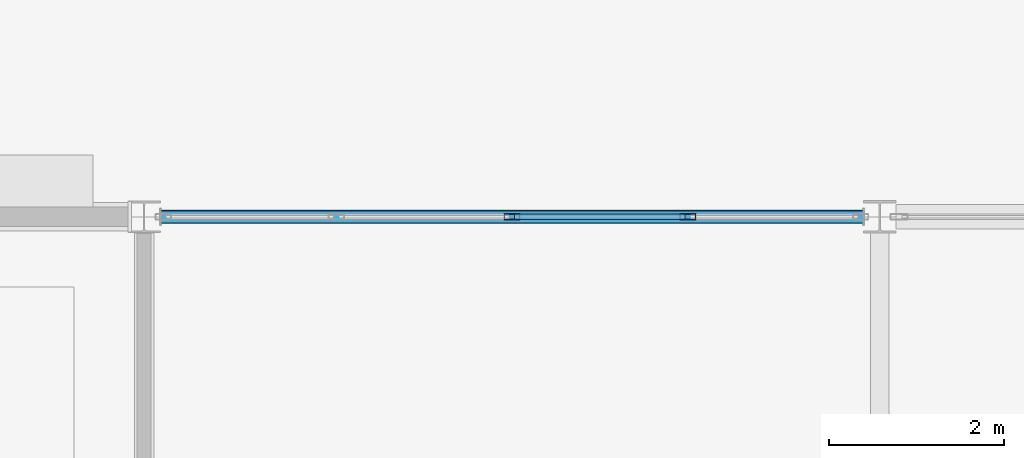
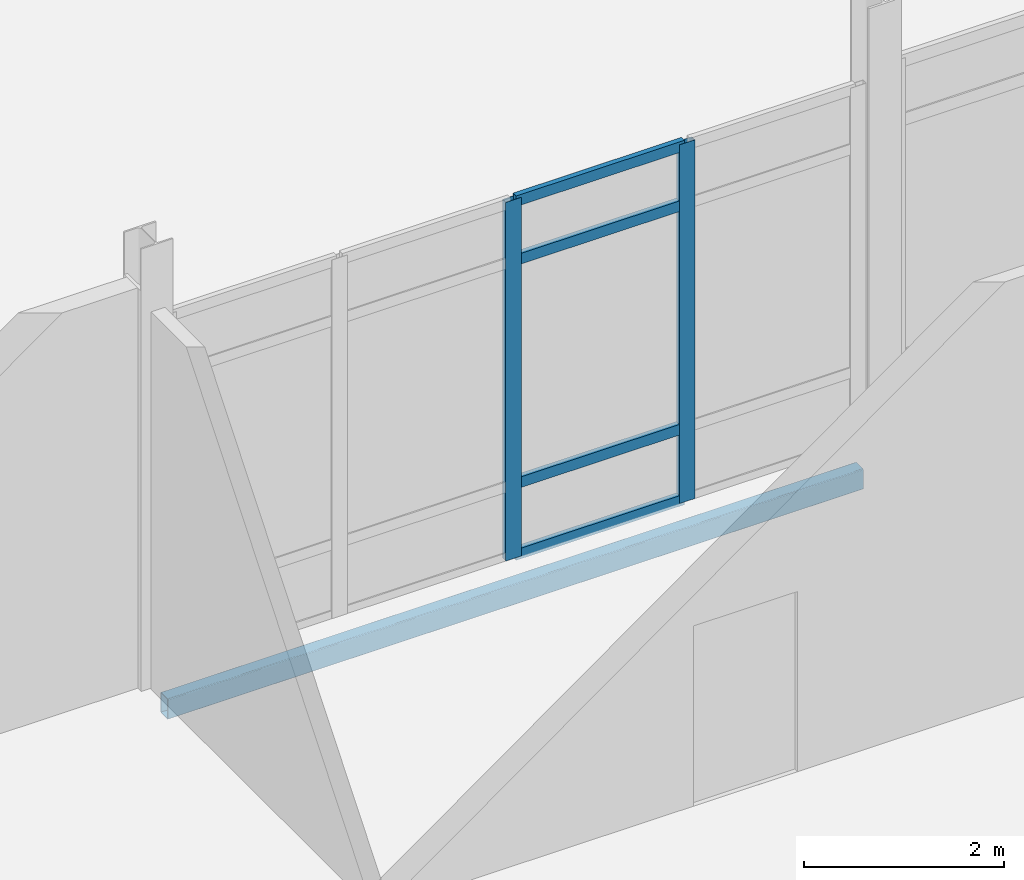
# One storey, part 99 of 229: 6 members, 1 beam, 1 element without a shape of its own.
"""IFC4 building model written with IfcOpenShell, lengths in metres."""

from ifc_helpers import new_model, si_unit, direction, frame, origin, origin_2d, place, context, subcontext, project, spatial, hollow_rectangle, extrude, material, layer, layer_set, material_profile, profile_set, type_object, element, aggregate, save


model = new_model("IFC4")

# Units and contexts
model_context = context("Model", 3, precision=1e-05, world=origin(), true_north=direction((0.0, 1.0)))
body_context = subcontext(model_context, "Body", "Model", "MODEL_VIEW")
ifc_project = project(units=[si_unit("LENGTHUNIT", "METRE"), si_unit("AREAUNIT", "SQUARE_METRE"), si_unit("VOLUMEUNIT", "CUBIC_METRE"), si_unit("PLANEANGLEUNIT", "RADIAN"), si_unit("MASSUNIT", "GRAM", prefix="KILO")], contexts=[model_context])

# Site, building, storey
site_placement = place(None, origin())
site = spatial("IfcSite", under=ifc_project, at=site_placement, CompositionType="ELEMENT")
building_placement = place(site_placement, origin())
building = spatial("IfcBuilding", under=site, at=building_placement, Name="Calvrana Isthmian Art Gallery", CompositionType="ELEMENT")
storey_placement = place(building_placement, origin())
storey = spatial("IfcBuildingStorey", under=building, at=storey_placement, Name="L00", CompositionType="ELEMENT", Elevation=0.0)

# Beam
ifc_material_1 = material(Name="Steel ASTM A500 Gr C", Category="steel")
ifc_material_profile_1 = material_profile(ifc_material_1, hollow_rectangle(XDim=0.15234375, YDim=0.25390625, WallThickness=0.009521484375, OuterFilletRadius=0.01904296875, at=origin_2d()), Name="HSS254X152X9.5")
ifc_profile_set_1 = profile_set([ifc_material_profile_1], Name="Steel ASTM A500 Gr C")
beam_type = type_object("IfcBeamType", Name="BM-SP-HSS254", PredefinedType="SPANDREL", material=ifc_profile_set_1)
beam_placement = place(storey_placement, frame((72.1865234375, 62.0, -0.412109375), z_axis=(1.0, 0.0, 0.0), x_axis=(0.0, 1.0, 0.0)))
element("IfcBeam", 1, at=beam_placement, inside=storey, type_object=beam_type, Name="Girder X L00 10-11/I", PredefinedType="SPANDREL", context=body_context, shape_type="SweptSolid", body=[
    extrude(hollow_rectangle(XDim=0.15234375, YDim=0.25390625, WallThickness=0.009521484375, OuterFilletRadius=0.01904296875, at=origin_2d()), origin(), (0.0, 0.0, 1.0), 8.02685546875),
])

# Curtain wall, members
ifc_material_2 = material(Name="Anodized bronze aluminium 6063-T6", Category="aluminium")
ifc_layer = layer(ifc_material_2, 0.179931640625, Name="Anodized bronze aluminium 6063-T6")
ifc_layer_set = layer_set([ifc_layer], Name="Anodized bronze aluminium 6063-T6")
curtain_wall_type = type_object("IfcCurtainWallType", Name="CW-UNIT-080X44", PredefinedType="USERDEFINED", material=ifc_layer_set)
curtain_wall_placement = place(storey_placement, origin())
curtain_wall = element("IfcCurtainWall", 2, at=curtain_wall_placement, inside=storey, type_object=curtain_wall_type, Name="Curtain wall CW-026", ObjectType="UNITISED CURTAIN WALL", PredefinedType="USERDEFINED")
ifc_material_profile_2 = material_profile(ifc_material_2, hollow_rectangle(XDim=0.06494140625, YDim=0.179931640625, WallThickness=0.00439453125, at=origin_2d()), Name="CWM65X180")
ifc_profile_set_2 = profile_set([ifc_material_profile_2], Name="Anodized bronze aluminium 6063-T6")
member_type_1 = type_object("IfcMemberType", Name="CWM-CWM65X180", PredefinedType="MULLION", material=ifc_profile_set_2)
member_1_placement = place(storey_placement, frame((76.19873046875, 62.0, 0.0), z_axis=(0.0, 0.0, 1.0), x_axis=(0.0, 1.0, 0.0)))
member_1 = element("IfcMember", 3, at=member_1_placement, type_object=member_type_1, Name="CW-026 mullion 3", PredefinedType="MULLION", context=body_context, shape_type="SweptSolid", body=[
    extrude(hollow_rectangle(XDim=0.06494140625, YDim=0.179931640625, WallThickness=0.00439453125, at=origin_2d()), origin(), (0.0, 0.0, 1.0), 4.3779296875),
])
member_2_placement = place(storey_placement, frame((78.2060546875, 62.0, 0.0), z_axis=(0.0, 0.0, 1.0), x_axis=(0.0, 1.0, 0.0)))
member_2 = element("IfcMember", 4, at=member_2_placement, type_object=member_type_1, Name="CW-026 mullion 4", PredefinedType="MULLION", context=body_context, shape_type="SweptSolid", body=[
    extrude(hollow_rectangle(XDim=0.06494140625, YDim=0.179931640625, WallThickness=0.00439453125, at=origin_2d()), origin(), (0.0, 0.0, 1.0), 4.3779296875),
])
ifc_material_profile_3 = material_profile(ifc_material_2, hollow_rectangle(XDim=0.06005859375, YDim=0.1298828125, WallThickness=0.00390625, at=origin_2d()), Name="CWT60X130")
ifc_profile_set_3 = profile_set([ifc_material_profile_3], Name="Anodized bronze aluminium 6063-T6")
member_type_2 = type_object("IfcMemberType", Name="CWT-CWT60X130", PredefinedType="USERDEFINED", material=ifc_profile_set_3)
member_3_placement = place(storey_placement, frame((76.231201171875, 62.0, 0.030029296875), z_axis=(1.0, 0.0, 0.0), x_axis=(0.0, 1.0, 0.0)))
member_3 = element("IfcMember", 5, at=member_3_placement, type_object=member_type_2, Name="CW-026 transom 3.1", ObjectType="TRANSOM", PredefinedType="USERDEFINED", context=body_context, shape_type="SweptSolid", body=[
    extrude(hollow_rectangle(XDim=0.06005859375, YDim=0.1298828125, WallThickness=0.00390625, at=origin_2d()), origin(), (0.0, 0.0, 1.0), 1.9423828125),
])
member_4_placement = place(storey_placement, frame((76.231201171875, 62.0, 0.89990234375), z_axis=(1.0, 0.0, 0.0), x_axis=(0.0, 1.0, 0.0)))
member_4 = element("IfcMember", 6, at=member_4_placement, type_object=member_type_2, Name="CW-026 transom 3.2", ObjectType="TRANSOM", PredefinedType="USERDEFINED", context=body_context, shape_type="SweptSolid", body=[
    extrude(hollow_rectangle(XDim=0.06005859375, YDim=0.1298828125, WallThickness=0.00390625, at=origin_2d()), origin(), (0.0, 0.0, 1.0), 1.9423828125),
])
member_5_placement = place(storey_placement, frame((76.231201171875, 62.0, 3.6279296875), z_axis=(1.0, 0.0, 0.0), x_axis=(0.0, 1.0, 0.0)))
member_5 = element("IfcMember", 7, at=member_5_placement, type_object=member_type_2, Name="CW-026 transom 3.3", ObjectType="TRANSOM", PredefinedType="USERDEFINED", context=body_context, shape_type="SweptSolid", body=[
    extrude(hollow_rectangle(XDim=0.06005859375, YDim=0.1298828125, WallThickness=0.00390625, at=origin_2d()), origin(), (0.0, 0.0, 1.0), 1.9423828125),
])
member_6_placement = place(storey_placement, frame((76.231201171875, 62.0, 4.347900390625), z_axis=(1.0, 0.0, 0.0), x_axis=(0.0, 1.0, 0.0)))
member_6 = element("IfcMember", 8, at=member_6_placement, type_object=member_type_2, Name="CW-026 transom 3.4", ObjectType="TRANSOM", PredefinedType="USERDEFINED", context=body_context, shape_type="SweptSolid", body=[
    extrude(hollow_rectangle(XDim=0.06005859375, YDim=0.1298828125, WallThickness=0.00390625, at=origin_2d()), origin(), (0.0, 0.0, 1.0), 1.9423828125),
])
aggregate(curtain_wall, [member_1, member_2, member_3, member_4, member_5, member_6])

save(model, "model.ifc")
